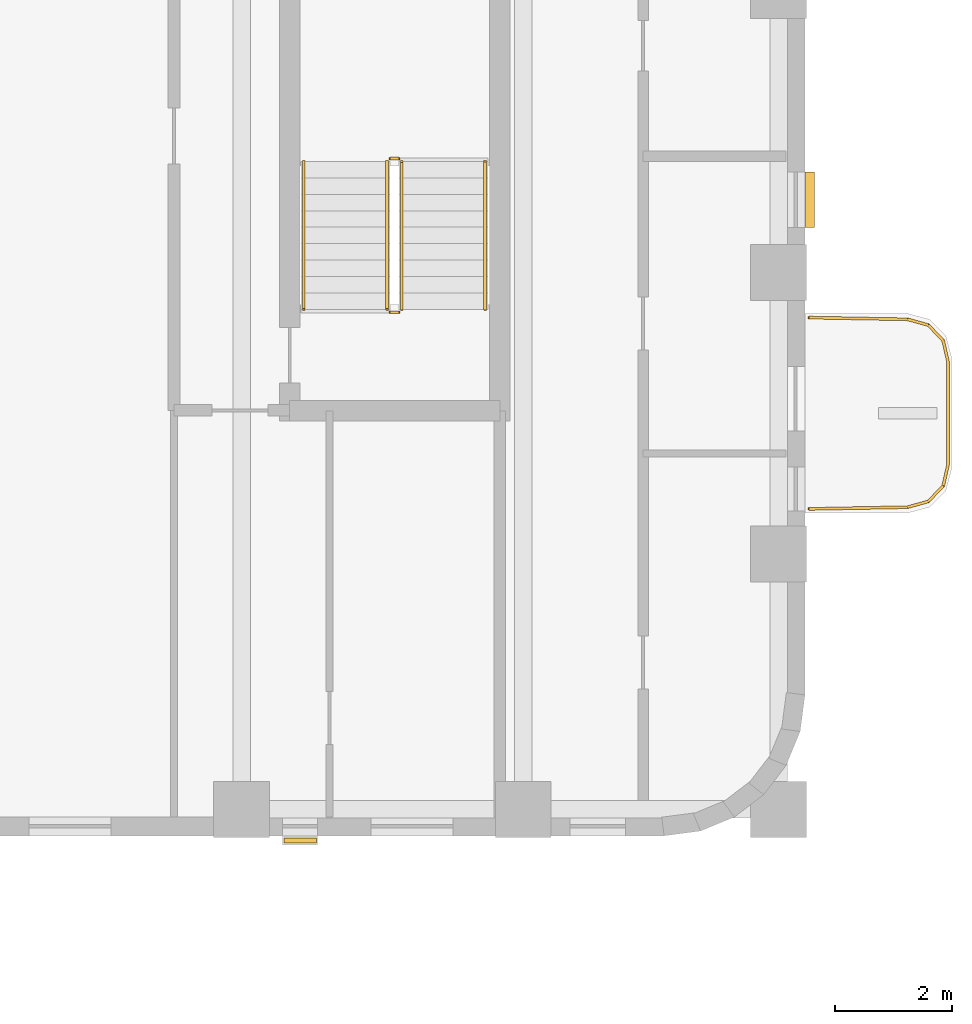
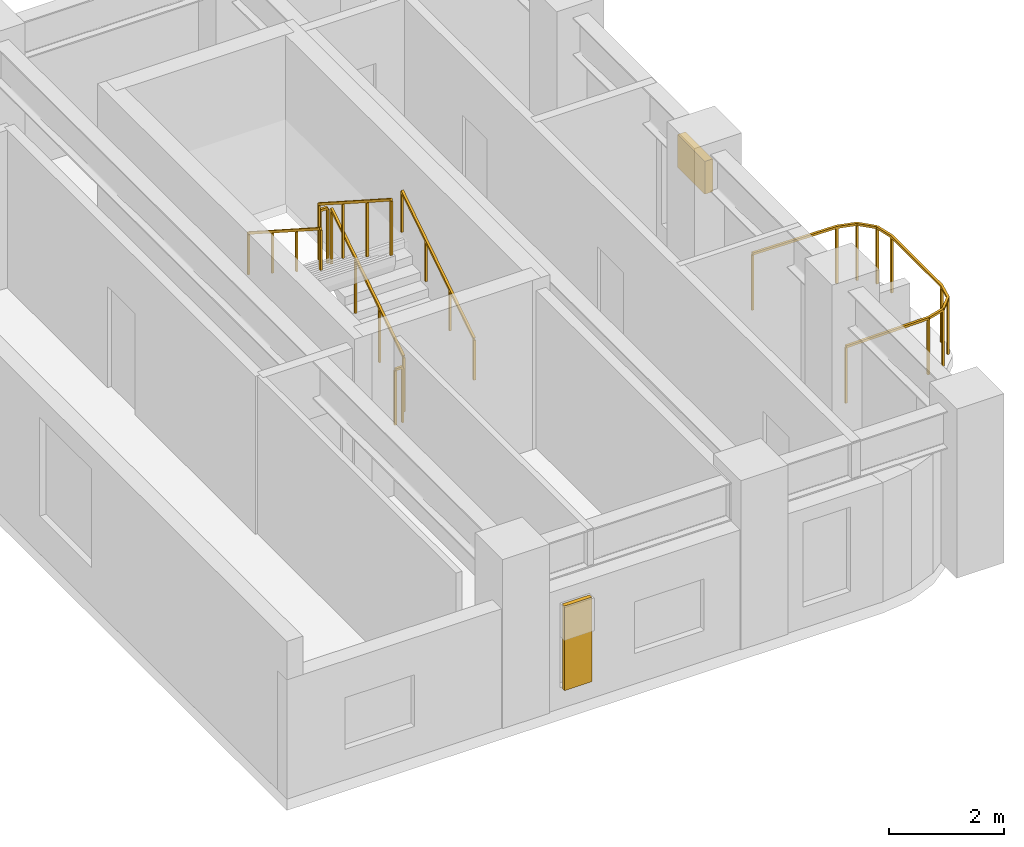
# One storey, part 9 of 10: 7 railings, 2 shading devices.
"""IFC4 building model written with IfcOpenShell, lengths in metres."""

from ifc_helpers import new_model, si_unit, direction, frame, origin, origin_2d, place, context, subcontext, project, spatial, rectangle, extrude, material, type_object, element, save


model = new_model("IFC4")

# Units and contexts
model_context = context("Model", 3, precision=1e-05, world=origin(), true_north=direction((0.0, 1.0)))
body_context = subcontext(model_context, "Body", "Model", "MODEL_VIEW")
ifc_project = project(units=[si_unit("LENGTHUNIT", "METRE"), si_unit("AREAUNIT", "SQUARE_METRE"), si_unit("VOLUMEUNIT", "CUBIC_METRE"), si_unit("PLANEANGLEUNIT", "RADIAN"), si_unit("MASSUNIT", "GRAM", prefix="KILO")], contexts=[model_context])

# Site, building, storey
site_placement = place(None, origin())
site = spatial("IfcSite", under=ifc_project, at=site_placement, CompositionType="ELEMENT")
building_placement = place(site_placement, origin())
building = spatial("IfcBuilding", under=site, at=building_placement, Name="Orvandelia Arch Residences", CompositionType="ELEMENT")
storey_placement = place(building_placement, frame((0.0, 0.0, 179.199951171875)))
storey = spatial("IfcBuildingStorey", under=building, at=storey_placement, Name="L47", CompositionType="ELEMENT", Elevation=179.199951171875)

# Railings
ifc_material_1 = material(Name="Marine-Grade Stainless Steel 316", Category="steel")
railing_type_1 = type_object("IfcRailingType", Name="GRD-BAL-1200", PredefinedType="BALUSTRADE", material=ifc_material_1)
railing_1_placement = place(storey_placement, frame((52.871826171875, 34.36962890625, 0.0)))
element("IfcRailing", 1, at=railing_1_placement, inside=storey, type_object=railing_type_1, Name="Safety Balustrade Guard GRD-L47-BAL-L47-E1-1", PredefinedType="BALUSTRADE", context=body_context, shape_type="SweptSolid", body=[
    extrude(rectangle(XDim=0.048095703125, YDim=0.048095703125, at=origin_2d()), frame((0.0, 0.0, 1.19580078125), z_axis=(0.999837384468, 0.018033430643, 0.0), x_axis=(-0.018033430643, 0.999837384468, 0.0)), (0.0, 0.0, 1.0), 1.6787109375),
    extrude(rectangle(XDim=0.048095703125, YDim=0.048095703125, at=origin_2d()), frame((1.678466796875, 0.0302734375, 1.19580078125), z_axis=(0.96348920644, 0.267747173792, 0.0), x_axis=(-0.267747173792, 0.96348920644, 0.0)), (0.0, 0.0, 1.0), 0.36572265625),
    extrude(rectangle(XDim=0.048095703125, YDim=0.048095703125, at=origin_2d()), frame((2.03076171875, 0.128173828125, 1.19580078125), z_axis=(0.687947031175, 0.725760898848, 0.0), x_axis=(-0.725760898848, 0.687947031175, 0.0)), (0.0, 0.0, 1.0), 0.367919921875),
    extrude(rectangle(XDim=0.048095703125, YDim=0.048095703125, at=origin_2d()), frame((2.283935546875, 0.395263671875, 1.19580078125), z_axis=(0.221225034864, 0.975222786828, 0.0), x_axis=(-0.975222786828, 0.221225034864, 0.0)), (0.0, 0.0, 1.0), 0.373046875),
    extrude(rectangle(XDim=0.048095703125, YDim=0.048095703125, at=origin_2d()), frame((2.366455078125, 0.759033203125, 1.19580078125), z_axis=(0.0, 1.0, 0.0), x_axis=(-1.0, 0.0, 0.0)), (0.0, 0.0, 1.0), 1.74267578125),
    extrude(rectangle(XDim=0.048095703125, YDim=0.048095703125, at=origin_2d()), frame((2.366455078125, 2.501708984375, 1.19580078125), z_axis=(-0.221225034864, 0.975222786828, 0.0), x_axis=(-0.975222786828, -0.221225034864, 0.0)), (0.0, 0.0, 1.0), 0.373046875),
    extrude(rectangle(XDim=0.048095703125, YDim=0.048095703125, at=origin_2d()), frame((2.283935546875, 2.865478515625, 1.19580078125), z_axis=(-0.687947031175, 0.725760898848, 0.0), x_axis=(-0.725760898848, -0.687947031175, 0.0)), (0.0, 0.0, 1.0), 0.367919921875),
    extrude(rectangle(XDim=0.048095703125, YDim=0.048095703125, at=origin_2d()), frame((2.03076171875, 3.132568359375, 1.19580078125), z_axis=(-0.96348920644, 0.267747173792, 0.0), x_axis=(-0.267747173792, -0.96348920644, 0.0)), (0.0, 0.0, 1.0), 0.36572265625),
    extrude(rectangle(XDim=0.048095703125, YDim=0.048095703125, at=origin_2d()), frame((1.678466796875, 3.23046875, 1.19580078125), z_axis=(-0.999837384468, 0.018033430643, 0.0), x_axis=(-0.018033430643, -0.999837384468, 0.0)), (0.0, 0.0, 1.0), 1.6787109375),
    extrude(rectangle(XDim=0.0419921875, YDim=0.0419921875, at=origin_2d()), origin(), (0.0, 0.0, 1.0), 1.171875),
    extrude(rectangle(XDim=0.0419921875, YDim=0.0419921875, at=origin_2d()), frame((1.678466796875, 0.0302734375, 0.0)), (0.0, 0.0, 1.0), 1.171875),
    extrude(rectangle(XDim=0.0419921875, YDim=0.0419921875, at=origin_2d()), frame((2.03076171875, 0.128173828125, 0.0)), (0.0, 0.0, 1.0), 1.171875),
    extrude(rectangle(XDim=0.0419921875, YDim=0.0419921875, at=origin_2d()), frame((2.283935546875, 0.395263671875, 0.0)), (0.0, 0.0, 1.0), 1.171875),
    extrude(rectangle(XDim=0.0419921875, YDim=0.0419921875, at=origin_2d()), frame((2.366455078125, 0.759033203125, 0.0)), (0.0, 0.0, 1.0), 1.171875),
    extrude(rectangle(XDim=0.0419921875, YDim=0.0419921875, at=origin_2d()), frame((2.366455078125, 2.501708984375, 0.0)), (0.0, 0.0, 1.0), 1.171875),
    extrude(rectangle(XDim=0.0419921875, YDim=0.0419921875, at=origin_2d()), frame((2.283935546875, 2.865478515625, 0.0)), (0.0, 0.0, 1.0), 1.171875),
    extrude(rectangle(XDim=0.0419921875, YDim=0.0419921875, at=origin_2d()), frame((2.03076171875, 3.132568359375, 0.0)), (0.0, 0.0, 1.0), 1.171875),
    extrude(rectangle(XDim=0.0419921875, YDim=0.0419921875, at=origin_2d()), frame((1.678466796875, 3.23046875, 0.0)), (0.0, 0.0, 1.0), 1.171875),
    extrude(rectangle(XDim=0.0419921875, YDim=0.0419921875, at=origin_2d()), frame((0.0, 3.2607421875, 0.0)), (0.0, 0.0, 1.0), 1.171875),
])
ifc_material_2 = material(Name="Brushed Stainless Steel 304", Category="steel")
railing_type_2 = type_object("IfcRailingType", Name="RL-STAIR-GD1120", PredefinedType="GUARDRAIL", material=ifc_material_2)
railing_2_placement = place(storey_placement, frame((45.929931640625, 37.77001953125, 0.179931640625)))
element("IfcRailing", 2, at=railing_2_placement, inside=storey, type_object=railing_type_2, Name="L47 ST-3 stair guard 1", PredefinedType="GUARDRAIL", context=body_context, shape_type="SweptSolid", body=[
    extrude(rectangle(XDim=0.048095703125, YDim=0.048095703125, at=origin_2d()), frame((0.0, 0.0, 1.17578125), z_axis=(0.0, 0.841162588446, 0.540782303519), x_axis=(-1.0, 0.0, 0.0)), (0.0, 0.0, 1.0), 2.995849609375),
    extrude(rectangle(XDim=0.0419921875, YDim=0.0419921875, at=origin_2d()), origin(), (0.0, 0.0, 1.0), 1.15185546875),
    extrude(rectangle(XDim=0.0419921875, YDim=0.0419921875, at=origin_2d()), frame((0.0, 0.840087890625, 0.5400390625)), (0.0, 0.0, 1.0), 1.15185546875),
    extrude(rectangle(XDim=0.0419921875, YDim=0.0419921875, at=origin_2d()), frame((0.0, 1.679931640625, 1.080078125)), (0.0, 0.0, 1.0), 1.15185546875),
    extrude(rectangle(XDim=0.0419921875, YDim=0.0419921875, at=origin_2d()), frame((0.0, 2.52001953125, 1.6201171875)), (0.0, 0.0, 1.0), 1.15185546875),
])
railing_3_placement = place(storey_placement, frame((45.8798828125, 40.340087890625, 1.800048828125)))
element("IfcRailing", 3, at=railing_3_placement, inside=storey, type_object=railing_type_2, Name="L47 ST-3 stair guard 2", PredefinedType="GUARDRAIL", context=body_context, shape_type="SweptSolid", body=[
    extrude(rectangle(XDim=0.048095703125, YDim=0.048095703125, at=origin_2d()), frame((0.0, 0.0, 1.17578125), z_axis=(-1.0, 0.0, 0.0), x_axis=(0.0, -1.0, 0.0)), (0.0, 0.0, 1.0), 0.14990234375),
    extrude(rectangle(XDim=0.0419921875, YDim=0.0419921875, at=origin_2d()), origin(), (0.0, 0.0, 1.0), 1.15185546875),
    extrude(rectangle(XDim=0.0419921875, YDim=0.0419921875, at=origin_2d()), frame((-0.14990234375, 0.0, 0.0)), (0.0, 0.0, 1.0), 1.15185546875),
])
railing_4_placement = place(storey_placement, frame((45.679931640625, 40.2900390625, 1.97998046875)))
element("IfcRailing", 4, at=railing_4_placement, inside=storey, type_object=railing_type_2, Name="L47 ST-3 stair guard 3", PredefinedType="GUARDRAIL", context=body_context, shape_type="SweptSolid", body=[
    extrude(rectangle(XDim=0.048095703125, YDim=0.048095703125, at=origin_2d()), frame((0.0, 0.0, 1.17578125), z_axis=(0.0, -0.841162588446, 0.540782303519), x_axis=(1.0, 0.0, 0.0)), (0.0, 0.0, 1.0), 2.995849609375),
    extrude(rectangle(XDim=0.0419921875, YDim=0.0419921875, at=origin_2d()), origin(), (0.0, 0.0, 1.0), 1.15185546875),
    extrude(rectangle(XDim=0.0419921875, YDim=0.0419921875, at=origin_2d()), frame((0.0, -0.840087890625, 0.5400390625)), (0.0, 0.0, 1.0), 1.15185546875),
    extrude(rectangle(XDim=0.0419921875, YDim=0.0419921875, at=origin_2d()), frame((0.0, -1.679931640625, 1.080078125)), (0.0, 0.0, 1.0), 1.15185546875),
    extrude(rectangle(XDim=0.0419921875, YDim=0.0419921875, at=origin_2d()), frame((0.0, -2.52001953125, 1.6201171875)), (0.0, 0.0, 1.0), 1.15185546875),
])
railing_5_placement = place(storey_placement, frame((45.8798828125, 37.719970703125, 0.0)))
element("IfcRailing", 5, at=railing_5_placement, inside=storey, type_object=railing_type_2, Name="L47 ST-3 stair guard 4", PredefinedType="GUARDRAIL", context=body_context, shape_type="SweptSolid", body=[
    extrude(rectangle(XDim=0.048095703125, YDim=0.048095703125, at=origin_2d()), frame((0.0, 0.0, 1.17578125), z_axis=(-1.0, 0.0, 0.0), x_axis=(0.0, -1.0, 0.0)), (0.0, 0.0, 1.0), 0.14990234375),
    extrude(rectangle(XDim=0.0419921875, YDim=0.0419921875, at=origin_2d()), origin(), (0.0, 0.0, 1.0), 1.15185546875),
    extrude(rectangle(XDim=0.0419921875, YDim=0.0419921875, at=origin_2d()), frame((-0.14990234375, 0.0, 0.0)), (0.0, 0.0, 1.0), 1.15185546875),
])
railing_type_3 = type_object("IfcRailingType", Name="RL-STAIR-HR920", PredefinedType="HANDRAIL", material=ifc_material_2)
railing_6_placement = place(storey_placement, frame((47.35009765625, 37.77001953125, 0.360107421875)))
element("IfcRailing", 6, at=railing_6_placement, inside=storey, type_object=railing_type_3, Name="L47 ST-3 stair handrail 1", PredefinedType="HANDRAIL", context=body_context, shape_type="SweptSolid", body=[
    extrude(rectangle(XDim=0.048095703125, YDim=0.048095703125, at=origin_2d()), frame((0.0, 0.0, 0.8759765625), z_axis=(0.0, 0.841199657755, 0.540724639528), x_axis=(-1.0, 0.0, 0.0)), (0.0, 0.0, 1.0), 2.995849609375),
    extrude(rectangle(XDim=0.0419921875, YDim=0.0419921875, at=origin_2d()), origin(), (0.0, 0.0, 1.0), 0.851806640625),
    extrude(rectangle(XDim=0.0419921875, YDim=0.0419921875, at=origin_2d()), frame((0.0, 0.840087890625, 0.5400390625)), (0.0, 0.0, 1.0), 0.851806640625),
    extrude(rectangle(XDim=0.0419921875, YDim=0.0419921875, at=origin_2d()), frame((0.0, 1.679931640625, 1.079833984375)), (0.0, 0.0, 1.0), 0.851806640625),
    extrude(rectangle(XDim=0.0419921875, YDim=0.0419921875, at=origin_2d()), frame((0.0, 2.52001953125, 1.619873046875)), (0.0, 0.0, 1.0), 0.851806640625),
])
railing_7_placement = place(storey_placement, frame((44.260009765625, 40.2900390625, 2.16015625)))
element("IfcRailing", 7, at=railing_7_placement, inside=storey, type_object=railing_type_3, Name="L47 ST-3 stair handrail 2", PredefinedType="HANDRAIL", context=body_context, shape_type="SweptSolid", body=[
    extrude(rectangle(XDim=0.048095703125, YDim=0.048095703125, at=origin_2d()), frame((0.0, 0.0, 0.8759765625), z_axis=(0.0, -0.841199657755, 0.540724639528), x_axis=(1.0, 0.0, 0.0)), (0.0, 0.0, 1.0), 2.995849609375),
    extrude(rectangle(XDim=0.0419921875, YDim=0.0419921875, at=origin_2d()), origin(), (0.0, 0.0, 1.0), 0.851806640625),
    extrude(rectangle(XDim=0.0419921875, YDim=0.0419921875, at=origin_2d()), frame((0.0, -0.840087890625, 0.5400390625)), (0.0, 0.0, 1.0), 0.851806640625),
    extrude(rectangle(XDim=0.0419921875, YDim=0.0419921875, at=origin_2d()), frame((0.0, -1.679931640625, 1.079833984375)), (0.0, 0.0, 1.0), 0.851806640625),
    extrude(rectangle(XDim=0.0419921875, YDim=0.0419921875, at=origin_2d()), frame((0.0, -2.52001953125, 1.619873046875)), (0.0, 0.0, 1.0), 0.851806640625),
])

# Shading devices
ifc_material_3 = material(Name="Anodised Champagne-Bronze Extruded Aluminium", Category="aluminium")
shading_device_type_1 = type_object("IfcShadingDeviceType", Name="SHD-JALOUSIE-SCREEN", PredefinedType="JALOUSIE", material=ifc_material_3)
shading_device_1_placement = place(storey_placement, frame((52.8798828125, 39.638916015625, 1.55029296875), z_axis=(0.0, 0.0, 1.0), x_axis=(0.0, -1.0, 0.0)))
element("IfcShadingDevice", 8, at=shading_device_1_placement, inside=storey, type_object=shading_device_type_1, Name="Bronze Jalousie Sun-Shade L47-002", PredefinedType="JALOUSIE", context=body_context, shape_type="SweptSolid", body=[
    extrude(rectangle(XDim=0.949951171875, YDim=0.159912109375, at=origin_2d()), origin(), (0.0, 0.0, 1.0), 0.699951171875),
])
ifc_material_4 = material(Name="Marine-Grade Perforated Aluminium Storm Shutter", Category="aluminium")
shading_device_type_2 = type_object("IfcShadingDeviceType", Name="SHD-STORM-SHUTTER", PredefinedType="SHUTTER", material=ifc_material_4)
shading_device_2_placement = place(storey_placement, frame((44.197509765625, 28.719970703125, 0.4501953125), z_axis=(0.0, 0.0, 1.0), x_axis=(-1.0, 0.0, 0.0)))
element("IfcShadingDevice", 9, at=shading_device_2_placement, inside=storey, type_object=shading_device_type_2, Name="Operable Typhoon Storm Shutter L47-003", PredefinedType="SHUTTER", context=body_context, shape_type="SweptSolid", body=[
    extrude(rectangle(XDim=0.550048828125, YDim=0.080078125, at=origin_2d()), origin(), (0.0, 0.0, 1.0), 1.800048828125),
])

save(model, "model.ifc")
